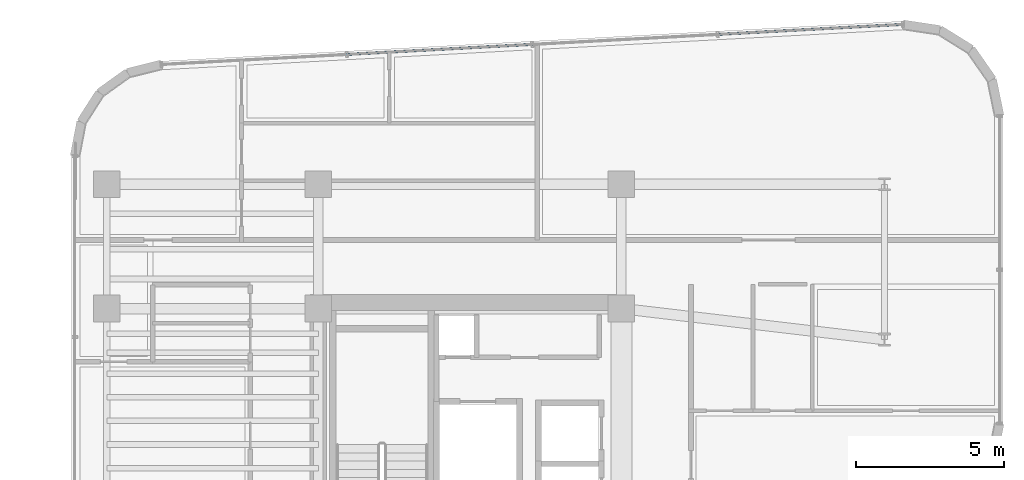
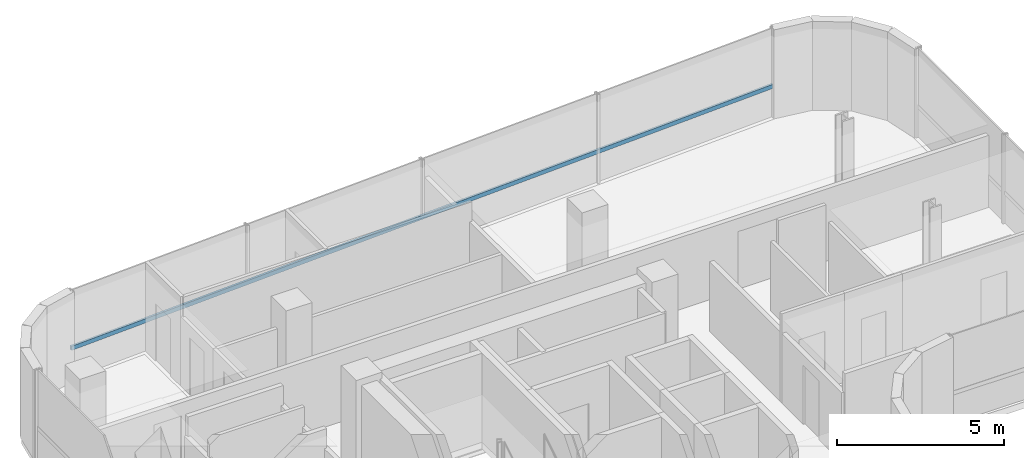
# One storey, part 15 of 24: 1 member, 1 element without a shape of its own.
"""IFC4 building model written with IfcOpenShell, lengths in metres."""

from ifc_helpers import new_model, si_unit, direction, frame, origin, origin_2d, place, context, subcontext, project, spatial, hollow_rectangle, extrude, source, transform, mapped, material, material_profile, profile_set, type_object, element, aggregate, save


model = new_model("IFC4")

# Units and contexts
model_context = context("Model", 3, precision=1e-05, world=origin(), true_north=direction((0.0, 1.0)))
body_context = subcontext(model_context, "Body", "Model", "MODEL_VIEW")
ifc_project = project(units=[si_unit("LENGTHUNIT", "METRE"), si_unit("AREAUNIT", "SQUARE_METRE"), si_unit("VOLUMEUNIT", "CUBIC_METRE"), si_unit("PLANEANGLEUNIT", "RADIAN"), si_unit("MASSUNIT", "GRAM", prefix="KILO")], contexts=[model_context])

# Site, building, storey
site_placement = place(None, origin())
site = spatial("IfcSite", under=ifc_project, at=site_placement, CompositionType="ELEMENT")
building_placement = place(site_placement, origin())
building = spatial("IfcBuilding", under=site, at=building_placement, Name="Valdorenza Pilgrim Sanctuary Tower", CompositionType="ELEMENT")
storey_placement = place(building_placement, frame((0.0, 0.0, 205.5)))
storey = spatial("IfcBuildingStorey", under=building, at=storey_placement, Name="L52", CompositionType="ELEMENT", Elevation=205.5)

# Curtain wall, member
ifc_material_1 = material(Name="Curtain-wall IGU glazing", Category="glass")
curtain_wall_type = type_object("IfcCurtainWallType", Name="CW-SYS-02", PredefinedType="NOTDEFINED", material=ifc_material_1)
curtain_wall_placement = place(storey_placement, origin())
curtain_wall = element("IfcCurtainWall", 1, at=curtain_wall_placement, inside=storey, type_object=curtain_wall_type, Name="L52 Curtain Wall CW-L52-1-6", PredefinedType="NOTDEFINED")
ifc_material_2 = material(Name="Anodised aluminium AW-6060", Category="aluminium")
ifc_material_profile = material_profile(ifc_material_2, hollow_rectangle(XDim=0.074951171875, YDim=0.14990234375, WallThickness=0.00390625, at=origin_2d()), Name="ALU-T 150x75x4")
ifc_profile_set = profile_set([ifc_material_profile], Name="Anodised aluminium AW-6060")
member_type = type_object("IfcMemberType", Name="CW-TRN-02", PredefinedType="USERDEFINED", material=ifc_profile_set)
shared_shape = source(origin(), body_context, "Body", "SweptSolid", [
    extrude(hollow_rectangle(XDim=0.074951171875, YDim=0.14990234375, WallThickness=0.00390625, at=origin_2d()), origin(), (0.0, 0.0, 1.0), 25.114990234375),
])
member_placement = place(storey_placement, frame((-27.9560546875, 18.85400390625, 1.1201171875), z_axis=(0.998546716184, 0.053893001378, 0.0), x_axis=(-0.053893001378, 0.998546716184, 0.0)))
member = element("IfcMember", 2, at=member_placement, type_object=member_type, Name="CW-L52-1-6 Transom 1", ObjectType="TRANSOM", PredefinedType="USERDEFINED", context=body_context, shape_type="MappedRepresentation", body=[
    mapped(shared_shape, transform((0.0, 0.0, 0.0), x_axis=(1.0, 0.0, 0.0), y_axis=(0.0, 1.0, 0.0), z_axis=(0.0, 0.0, 1.0), scale=1.0)),
])
aggregate(curtain_wall, [member])

save(model, "model.ifc")
